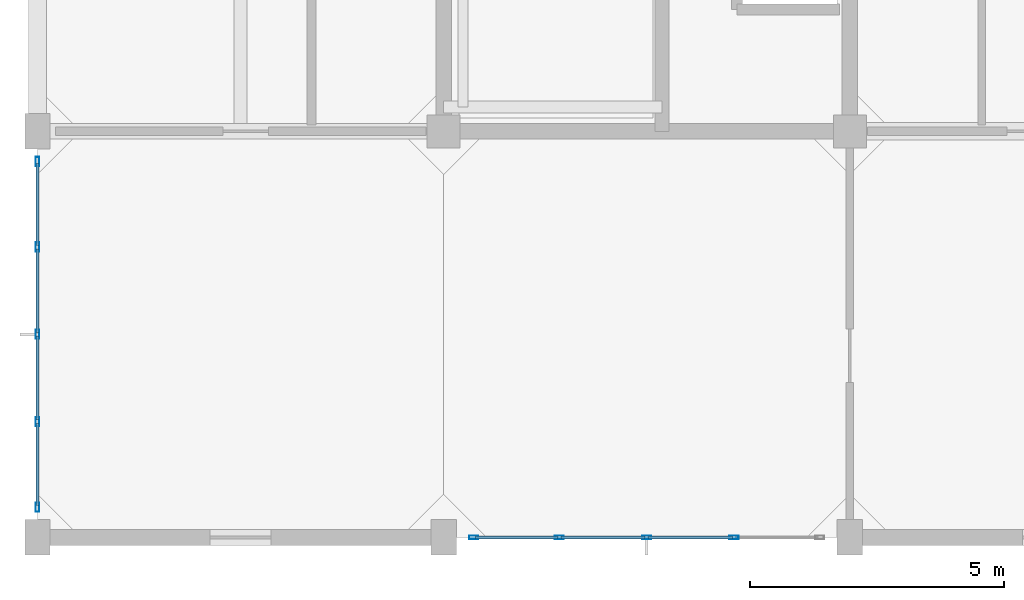
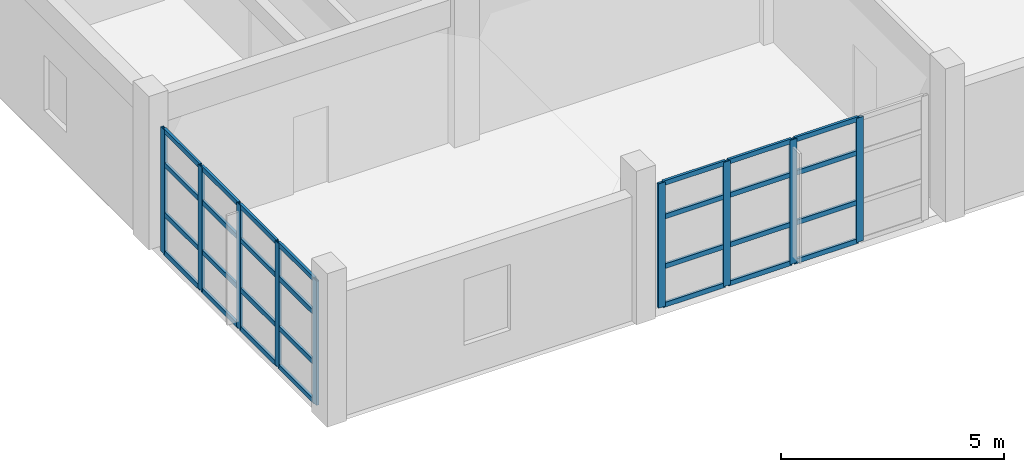
# One storey, part 2 of 18: 37 members, 2 elements without a shape of their own.
"""IFC4 building model written with IfcOpenShell, lengths in metres."""

from ifc_helpers import new_model, si_unit, direction, frame, origin, origin_2d, place, context, subcontext, project, spatial, hollow_rectangle, extrude, material, layer, layer_set, material_profile, profile_set, type_object, element, aggregate, save


model = new_model("IFC4")

# Units and contexts
model_context = context("Model", 3, precision=1e-05, world=origin(), true_north=direction((0.0, 1.0)))
body_context = subcontext(model_context, "Body", "Model", "MODEL_VIEW")
ifc_project = project(units=[si_unit("LENGTHUNIT", "METRE"), si_unit("AREAUNIT", "SQUARE_METRE"), si_unit("VOLUMEUNIT", "CUBIC_METRE"), si_unit("PLANEANGLEUNIT", "RADIAN"), si_unit("MASSUNIT", "GRAM", prefix="KILO")], contexts=[model_context])

# Site, building, storey
site_placement = place(None, origin())
site = spatial("IfcSite", under=ifc_project, at=site_placement, CompositionType="ELEMENT")
building_placement = place(site_placement, origin())
building = spatial("IfcBuilding", under=site, at=building_placement, Name="Canggui Botanical Conservatory", CompositionType="ELEMENT")
storey_placement = place(building_placement, frame((0.0, 0.0, 52.800048828125)))
storey = spatial("IfcBuildingStorey", under=building, at=storey_placement, Name="L13", CompositionType="ELEMENT", Elevation=52.800048828125)

# Curtain wall, members
ifc_material = material(Name="Thermally Broken Aluminium", Category="aluminium")
ifc_layer = layer(ifc_material, 0.179931640625, Name="Thermally Broken Aluminium", Category="aluminium")
ifc_layer_set = layer_set([ifc_layer], Name="Thermally Broken Aluminium")
curtain_wall_type = type_object("IfcCurtainWallType", Name="CW-UNIT-A", PredefinedType="USERDEFINED", material=ifc_layer_set)
curtain_wall_1_placement = place(storey_placement, origin())
curtain_wall_1 = element("IfcCurtainWall", 1, at=curtain_wall_1_placement, inside=storey, type_object=curtain_wall_type, Name="Facade Curtain Wall CW-TWR-L13-03", ObjectType="UNITISED CURTAIN WALL", PredefinedType="USERDEFINED")
ifc_material_profile_1 = material_profile(ifc_material, hollow_rectangle(XDim=0.070068359375, YDim=0.179931640625, WallThickness=0.00390625, at=origin_2d()), Name="CWM 70x180x4")
ifc_profile_set_1 = profile_set([ifc_material_profile_1], Name="Thermally Broken Aluminium")
member_type_1 = type_object("IfcMemberType", Name="CWM-01", PredefinedType="MULLION", material=ifc_profile_set_1)
member_1_placement = place(storey_placement, frame((159.719970703125, 34.0, 0.0), z_axis=(0.0, 0.0, 1.0), x_axis=(0.0, -1.0, 0.0)))
member_1 = element("IfcMember", 2, at=member_1_placement, type_object=member_type_1, Name="CW-01 mullion 2", PredefinedType="MULLION", context=body_context, shape_type="SweptSolid", body=[
    extrude(hollow_rectangle(XDim=0.070068359375, YDim=0.179931640625, WallThickness=0.00390625, at=origin_2d()), origin(), (0.0, 0.0, 1.0), 3.39990234375),
])
member_2_placement = place(storey_placement, frame((158.0, 34.0, 0.0), z_axis=(0.0, 0.0, 1.0), x_axis=(0.0, -1.0, 0.0)))
member_2 = element("IfcMember", 3, at=member_2_placement, type_object=member_type_1, Name="CW-01 mullion 3", PredefinedType="MULLION", context=body_context, shape_type="SweptSolid", body=[
    extrude(hollow_rectangle(XDim=0.070068359375, YDim=0.179931640625, WallThickness=0.00390625, at=origin_2d()), origin(), (0.0, 0.0, 1.0), 3.39990234375),
])
member_3_placement = place(storey_placement, frame((156.280029296875, 34.0, 0.0), z_axis=(0.0, 0.0, 1.0), x_axis=(0.0, -1.0, 0.0)))
member_3 = element("IfcMember", 4, at=member_3_placement, type_object=member_type_1, Name="CW-01 mullion 4", PredefinedType="MULLION", context=body_context, shape_type="SweptSolid", body=[
    extrude(hollow_rectangle(XDim=0.070068359375, YDim=0.179931640625, WallThickness=0.00390625, at=origin_2d()), origin(), (0.0, 0.0, 1.0), 3.39990234375),
])
member_4_placement = place(storey_placement, frame((154.594970703125, 34.0, 0.0), z_axis=(0.0, 0.0, 1.0), x_axis=(0.0, -1.0, 0.0)))
member_4 = element("IfcMember", 5, at=member_4_placement, type_object=member_type_1, Name="CW-01 mullion 5", PredefinedType="MULLION", context=body_context, shape_type="SweptSolid", body=[
    extrude(hollow_rectangle(XDim=0.070068359375, YDim=0.179931640625, WallThickness=0.00390625, at=origin_2d()), origin(), (0.0, 0.0, 1.0), 3.39990234375),
])

curtain_wall_2_placement = place(storey_placement, origin())
curtain_wall_2 = element("IfcCurtainWall", 6, at=curtain_wall_2_placement, inside=storey, type_object=curtain_wall_type, Name="Facade Curtain Wall CW-TWR-L13-05", ObjectType="UNITISED CURTAIN WALL", PredefinedType="USERDEFINED")
member_5_placement = place(storey_placement, frame((146.0, 34.594970703125, 0.0), z_axis=(0.0, 0.0, 1.0), x_axis=(-1.0, 0.0, 0.0)))
member_5 = element("IfcMember", 7, at=member_5_placement, type_object=member_type_1, Name="CW-01 mullion 1", PredefinedType="MULLION", context=body_context, shape_type="SweptSolid", body=[
    extrude(hollow_rectangle(XDim=0.070068359375, YDim=0.179931640625, WallThickness=0.00390625, at=origin_2d()), origin(), (0.0, 0.0, 1.0), 3.39990234375),
])
member_6_placement = place(storey_placement, frame((146.0, 36.280029296875, 0.0), z_axis=(0.0, 0.0, 1.0), x_axis=(-1.0, 0.0, 0.0)))
member_6 = element("IfcMember", 8, at=member_6_placement, type_object=member_type_1, Name="CW-01 mullion 2", PredefinedType="MULLION", context=body_context, shape_type="SweptSolid", body=[
    extrude(hollow_rectangle(XDim=0.070068359375, YDim=0.179931640625, WallThickness=0.00390625, at=origin_2d()), origin(), (0.0, 0.0, 1.0), 3.39990234375),
])
member_7_placement = place(storey_placement, frame((146.0, 38.0, 0.0), z_axis=(0.0, 0.0, 1.0), x_axis=(-1.0, 0.0, 0.0)))
member_7 = element("IfcMember", 9, at=member_7_placement, type_object=member_type_1, Name="CW-01 mullion 3", PredefinedType="MULLION", context=body_context, shape_type="SweptSolid", body=[
    extrude(hollow_rectangle(XDim=0.070068359375, YDim=0.179931640625, WallThickness=0.00390625, at=origin_2d()), origin(), (0.0, 0.0, 1.0), 3.39990234375),
])
member_8_placement = place(storey_placement, frame((146.0, 39.719970703125, 0.0), z_axis=(0.0, 0.0, 1.0), x_axis=(-1.0, 0.0, 0.0)))
member_8 = element("IfcMember", 10, at=member_8_placement, type_object=member_type_1, Name="CW-01 mullion 4", PredefinedType="MULLION", context=body_context, shape_type="SweptSolid", body=[
    extrude(hollow_rectangle(XDim=0.070068359375, YDim=0.179931640625, WallThickness=0.00390625, at=origin_2d()), origin(), (0.0, 0.0, 1.0), 3.39990234375),
])
member_9_placement = place(storey_placement, frame((146.0, 41.405029296875, 0.0), z_axis=(0.0, 0.0, 1.0), x_axis=(-1.0, 0.0, 0.0)))
member_9 = element("IfcMember", 11, at=member_9_placement, type_object=member_type_1, Name="CW-01 mullion 5", PredefinedType="MULLION", context=body_context, shape_type="SweptSolid", body=[
    extrude(hollow_rectangle(XDim=0.070068359375, YDim=0.179931640625, WallThickness=0.00390625, at=origin_2d()), origin(), (0.0, 0.0, 1.0), 3.39990234375),
])

# Member
ifc_material_profile_2 = material_profile(ifc_material, hollow_rectangle(XDim=0.06494140625, YDim=0.1298828125, WallThickness=0.00341796875, at=origin_2d()), Name="CWT 65x130x3.5")
ifc_profile_set_2 = profile_set([ifc_material_profile_2], Name="Thermally Broken Aluminium")
member_type_2 = type_object("IfcMemberType", Name="CWT-01", PredefinedType="USERDEFINED", material=ifc_profile_set_2)
member_10_placement = place(storey_placement, frame((159.68505859375, 34.0, 0.032470703125), z_axis=(-1.0, 0.0, 0.0), x_axis=(0.0, -1.0, 0.0)))
member_10 = element("IfcMember", 12, at=member_10_placement, type_object=member_type_2, Name="CW-01 transom 2.1", ObjectType="TRANSOM", PredefinedType="USERDEFINED", context=body_context, shape_type="SweptSolid", body=[
    extrude(hollow_rectangle(XDim=0.06494140625, YDim=0.1298828125, WallThickness=0.00341796875, at=origin_2d()), origin(), (0.0, 0.0, 1.0), 1.650146484375),
])

member_11_placement = place(storey_placement, frame((159.68505859375, 34.0, 1.087890625), z_axis=(-1.0, 0.0, 0.0), x_axis=(0.0, -1.0, 0.0)))
member_11 = element("IfcMember", 13, at=member_11_placement, type_object=member_type_2, Name="CW-01 transom 2.2", ObjectType="TRANSOM", PredefinedType="USERDEFINED", context=body_context, shape_type="SweptSolid", body=[
    extrude(hollow_rectangle(XDim=0.06494140625, YDim=0.1298828125, WallThickness=0.00341796875, at=origin_2d()), origin(), (0.0, 0.0, 1.0), 1.650146484375),
])

member_12_placement = place(storey_placement, frame((159.68505859375, 34.0, 2.447998046875), z_axis=(-1.0, 0.0, 0.0), x_axis=(0.0, -1.0, 0.0)))
member_12 = element("IfcMember", 14, at=member_12_placement, type_object=member_type_2, Name="CW-01 transom 2.3", ObjectType="TRANSOM", PredefinedType="USERDEFINED", context=body_context, shape_type="SweptSolid", body=[
    extrude(hollow_rectangle(XDim=0.06494140625, YDim=0.1298828125, WallThickness=0.00341796875, at=origin_2d()), origin(), (0.0, 0.0, 1.0), 1.650146484375),
])

member_13_placement = place(storey_placement, frame((159.68505859375, 34.0, 3.367431640625), z_axis=(-1.0, 0.0, 0.0), x_axis=(0.0, -1.0, 0.0)))
member_13 = element("IfcMember", 15, at=member_13_placement, type_object=member_type_2, Name="CW-01 transom 2.4", ObjectType="TRANSOM", PredefinedType="USERDEFINED", context=body_context, shape_type="SweptSolid", body=[
    extrude(hollow_rectangle(XDim=0.06494140625, YDim=0.1298828125, WallThickness=0.00341796875, at=origin_2d()), origin(), (0.0, 0.0, 1.0), 1.650146484375),
])

member_14_placement = place(storey_placement, frame((157.965087890625, 34.0, 0.032470703125), z_axis=(-1.0, 0.0, 0.0), x_axis=(0.0, -1.0, 0.0)))
member_14 = element("IfcMember", 16, at=member_14_placement, type_object=member_type_2, Name="CW-01 transom 3.1", ObjectType="TRANSOM", PredefinedType="USERDEFINED", context=body_context, shape_type="SweptSolid", body=[
    extrude(hollow_rectangle(XDim=0.06494140625, YDim=0.1298828125, WallThickness=0.00341796875, at=origin_2d()), origin(), (0.0, 0.0, 1.0), 1.650146484375),
])

member_15_placement = place(storey_placement, frame((157.965087890625, 34.0, 1.087890625), z_axis=(-1.0, 0.0, 0.0), x_axis=(0.0, -1.0, 0.0)))
member_15 = element("IfcMember", 17, at=member_15_placement, type_object=member_type_2, Name="CW-01 transom 3.2", ObjectType="TRANSOM", PredefinedType="USERDEFINED", context=body_context, shape_type="SweptSolid", body=[
    extrude(hollow_rectangle(XDim=0.06494140625, YDim=0.1298828125, WallThickness=0.00341796875, at=origin_2d()), origin(), (0.0, 0.0, 1.0), 1.650146484375),
])

member_16_placement = place(storey_placement, frame((157.965087890625, 34.0, 2.447998046875), z_axis=(-1.0, 0.0, 0.0), x_axis=(0.0, -1.0, 0.0)))
member_16 = element("IfcMember", 18, at=member_16_placement, type_object=member_type_2, Name="CW-01 transom 3.3", ObjectType="TRANSOM", PredefinedType="USERDEFINED", context=body_context, shape_type="SweptSolid", body=[
    extrude(hollow_rectangle(XDim=0.06494140625, YDim=0.1298828125, WallThickness=0.00341796875, at=origin_2d()), origin(), (0.0, 0.0, 1.0), 1.650146484375),
])

member_17_placement = place(storey_placement, frame((157.965087890625, 34.0, 3.367431640625), z_axis=(-1.0, 0.0, 0.0), x_axis=(0.0, -1.0, 0.0)))
member_17 = element("IfcMember", 19, at=member_17_placement, type_object=member_type_2, Name="CW-01 transom 3.4", ObjectType="TRANSOM", PredefinedType="USERDEFINED", context=body_context, shape_type="SweptSolid", body=[
    extrude(hollow_rectangle(XDim=0.06494140625, YDim=0.1298828125, WallThickness=0.00341796875, at=origin_2d()), origin(), (0.0, 0.0, 1.0), 1.650146484375),
])

member_18_placement = place(storey_placement, frame((156.2451171875, 34.0, 0.032470703125), z_axis=(-1.0, 0.0, 0.0), x_axis=(0.0, -1.0, 0.0)))
member_18 = element("IfcMember", 20, at=member_18_placement, type_object=member_type_2, Name="CW-01 transom 4.1", ObjectType="TRANSOM", PredefinedType="USERDEFINED", context=body_context, shape_type="SweptSolid", body=[
    extrude(hollow_rectangle(XDim=0.06494140625, YDim=0.1298828125, WallThickness=0.00341796875, at=origin_2d()), origin(), (0.0, 0.0, 1.0), 1.615234375),
])

member_19_placement = place(storey_placement, frame((156.2451171875, 34.0, 1.087890625), z_axis=(-1.0, 0.0, 0.0), x_axis=(0.0, -1.0, 0.0)))
member_19 = element("IfcMember", 21, at=member_19_placement, type_object=member_type_2, Name="CW-01 transom 4.2", ObjectType="TRANSOM", PredefinedType="USERDEFINED", context=body_context, shape_type="SweptSolid", body=[
    extrude(hollow_rectangle(XDim=0.06494140625, YDim=0.1298828125, WallThickness=0.00341796875, at=origin_2d()), origin(), (0.0, 0.0, 1.0), 1.615234375),
])

member_20_placement = place(storey_placement, frame((156.2451171875, 34.0, 2.447998046875), z_axis=(-1.0, 0.0, 0.0), x_axis=(0.0, -1.0, 0.0)))
member_20 = element("IfcMember", 22, at=member_20_placement, type_object=member_type_2, Name="CW-01 transom 4.3", ObjectType="TRANSOM", PredefinedType="USERDEFINED", context=body_context, shape_type="SweptSolid", body=[
    extrude(hollow_rectangle(XDim=0.06494140625, YDim=0.1298828125, WallThickness=0.00341796875, at=origin_2d()), origin(), (0.0, 0.0, 1.0), 1.615234375),
])

member_21_placement = place(storey_placement, frame((156.2451171875, 34.0, 3.367431640625), z_axis=(-1.0, 0.0, 0.0), x_axis=(0.0, -1.0, 0.0)))
member_21 = element("IfcMember", 23, at=member_21_placement, type_object=member_type_2, Name="CW-01 transom 4.4", ObjectType="TRANSOM", PredefinedType="USERDEFINED", context=body_context, shape_type="SweptSolid", body=[
    extrude(hollow_rectangle(XDim=0.06494140625, YDim=0.1298828125, WallThickness=0.00341796875, at=origin_2d()), origin(), (0.0, 0.0, 1.0), 1.615234375),
])

aggregate(curtain_wall_1, [member_1, member_2, member_3, member_4, member_10, member_11, member_12, member_13, member_14, member_15, member_16, member_17, member_18, member_19, member_20, member_21])

member_22_placement = place(storey_placement, frame((146.0, 34.6298828125, 0.032470703125), z_axis=(0.0, 1.0, 0.0), x_axis=(-1.0, 0.0, 0.0)))
member_22 = element("IfcMember", 24, at=member_22_placement, type_object=member_type_2, Name="CW-01 transom 1.1", ObjectType="TRANSOM", PredefinedType="USERDEFINED", context=body_context, shape_type="SweptSolid", body=[
    extrude(hollow_rectangle(XDim=0.06494140625, YDim=0.1298828125, WallThickness=0.00341796875, at=origin_2d()), origin(), (0.0, 0.0, 1.0), 1.615234375),
])

member_23_placement = place(storey_placement, frame((146.0, 34.6298828125, 1.087890625), z_axis=(0.0, 1.0, 0.0), x_axis=(-1.0, 0.0, 0.0)))
member_23 = element("IfcMember", 25, at=member_23_placement, type_object=member_type_2, Name="CW-01 transom 1.2", ObjectType="TRANSOM", PredefinedType="USERDEFINED", context=body_context, shape_type="SweptSolid", body=[
    extrude(hollow_rectangle(XDim=0.06494140625, YDim=0.1298828125, WallThickness=0.00341796875, at=origin_2d()), origin(), (0.0, 0.0, 1.0), 1.615234375),
])

member_24_placement = place(storey_placement, frame((146.0, 34.6298828125, 2.447998046875), z_axis=(0.0, 1.0, 0.0), x_axis=(-1.0, 0.0, 0.0)))
member_24 = element("IfcMember", 26, at=member_24_placement, type_object=member_type_2, Name="CW-01 transom 1.3", ObjectType="TRANSOM", PredefinedType="USERDEFINED", context=body_context, shape_type="SweptSolid", body=[
    extrude(hollow_rectangle(XDim=0.06494140625, YDim=0.1298828125, WallThickness=0.00341796875, at=origin_2d()), origin(), (0.0, 0.0, 1.0), 1.615234375),
])

member_25_placement = place(storey_placement, frame((146.0, 34.6298828125, 3.367431640625), z_axis=(0.0, 1.0, 0.0), x_axis=(-1.0, 0.0, 0.0)))
member_25 = element("IfcMember", 27, at=member_25_placement, type_object=member_type_2, Name="CW-01 transom 1.4", ObjectType="TRANSOM", PredefinedType="USERDEFINED", context=body_context, shape_type="SweptSolid", body=[
    extrude(hollow_rectangle(XDim=0.06494140625, YDim=0.1298828125, WallThickness=0.00341796875, at=origin_2d()), origin(), (0.0, 0.0, 1.0), 1.615234375),
])

member_26_placement = place(storey_placement, frame((146.0, 36.31494140625, 0.032470703125), z_axis=(0.0, 1.0, 0.0), x_axis=(-1.0, 0.0, 0.0)))
member_26 = element("IfcMember", 28, at=member_26_placement, type_object=member_type_2, Name="CW-01 transom 2.1", ObjectType="TRANSOM", PredefinedType="USERDEFINED", context=body_context, shape_type="SweptSolid", body=[
    extrude(hollow_rectangle(XDim=0.06494140625, YDim=0.1298828125, WallThickness=0.00341796875, at=origin_2d()), origin(), (0.0, 0.0, 1.0), 1.650146484375),
])

member_27_placement = place(storey_placement, frame((146.0, 36.31494140625, 1.087890625), z_axis=(0.0, 1.0, 0.0), x_axis=(-1.0, 0.0, 0.0)))
member_27 = element("IfcMember", 29, at=member_27_placement, type_object=member_type_2, Name="CW-01 transom 2.2", ObjectType="TRANSOM", PredefinedType="USERDEFINED", context=body_context, shape_type="SweptSolid", body=[
    extrude(hollow_rectangle(XDim=0.06494140625, YDim=0.1298828125, WallThickness=0.00341796875, at=origin_2d()), origin(), (0.0, 0.0, 1.0), 1.650146484375),
])

member_28_placement = place(storey_placement, frame((146.0, 36.31494140625, 2.447998046875), z_axis=(0.0, 1.0, 0.0), x_axis=(-1.0, 0.0, 0.0)))
member_28 = element("IfcMember", 30, at=member_28_placement, type_object=member_type_2, Name="CW-01 transom 2.3", ObjectType="TRANSOM", PredefinedType="USERDEFINED", context=body_context, shape_type="SweptSolid", body=[
    extrude(hollow_rectangle(XDim=0.06494140625, YDim=0.1298828125, WallThickness=0.00341796875, at=origin_2d()), origin(), (0.0, 0.0, 1.0), 1.650146484375),
])

member_29_placement = place(storey_placement, frame((146.0, 36.31494140625, 3.367431640625), z_axis=(0.0, 1.0, 0.0), x_axis=(-1.0, 0.0, 0.0)))
member_29 = element("IfcMember", 31, at=member_29_placement, type_object=member_type_2, Name="CW-01 transom 2.4", ObjectType="TRANSOM", PredefinedType="USERDEFINED", context=body_context, shape_type="SweptSolid", body=[
    extrude(hollow_rectangle(XDim=0.06494140625, YDim=0.1298828125, WallThickness=0.00341796875, at=origin_2d()), origin(), (0.0, 0.0, 1.0), 1.650146484375),
])

member_30_placement = place(storey_placement, frame((146.0, 38.034912109375, 0.032470703125), z_axis=(0.0, 1.0, 0.0), x_axis=(-1.0, 0.0, 0.0)))
member_30 = element("IfcMember", 32, at=member_30_placement, type_object=member_type_2, Name="CW-01 transom 3.1", ObjectType="TRANSOM", PredefinedType="USERDEFINED", context=body_context, shape_type="SweptSolid", body=[
    extrude(hollow_rectangle(XDim=0.06494140625, YDim=0.1298828125, WallThickness=0.00341796875, at=origin_2d()), origin(), (0.0, 0.0, 1.0), 1.650146484375),
])

member_31_placement = place(storey_placement, frame((146.0, 38.034912109375, 1.087890625), z_axis=(0.0, 1.0, 0.0), x_axis=(-1.0, 0.0, 0.0)))
member_31 = element("IfcMember", 33, at=member_31_placement, type_object=member_type_2, Name="CW-01 transom 3.2", ObjectType="TRANSOM", PredefinedType="USERDEFINED", context=body_context, shape_type="SweptSolid", body=[
    extrude(hollow_rectangle(XDim=0.06494140625, YDim=0.1298828125, WallThickness=0.00341796875, at=origin_2d()), origin(), (0.0, 0.0, 1.0), 1.650146484375),
])

member_32_placement = place(storey_placement, frame((146.0, 38.034912109375, 2.447998046875), z_axis=(0.0, 1.0, 0.0), x_axis=(-1.0, 0.0, 0.0)))
member_32 = element("IfcMember", 34, at=member_32_placement, type_object=member_type_2, Name="CW-01 transom 3.3", ObjectType="TRANSOM", PredefinedType="USERDEFINED", context=body_context, shape_type="SweptSolid", body=[
    extrude(hollow_rectangle(XDim=0.06494140625, YDim=0.1298828125, WallThickness=0.00341796875, at=origin_2d()), origin(), (0.0, 0.0, 1.0), 1.650146484375),
])

member_33_placement = place(storey_placement, frame((146.0, 38.034912109375, 3.367431640625), z_axis=(0.0, 1.0, 0.0), x_axis=(-1.0, 0.0, 0.0)))
member_33 = element("IfcMember", 35, at=member_33_placement, type_object=member_type_2, Name="CW-01 transom 3.4", ObjectType="TRANSOM", PredefinedType="USERDEFINED", context=body_context, shape_type="SweptSolid", body=[
    extrude(hollow_rectangle(XDim=0.06494140625, YDim=0.1298828125, WallThickness=0.00341796875, at=origin_2d()), origin(), (0.0, 0.0, 1.0), 1.650146484375),
])

member_34_placement = place(storey_placement, frame((146.0, 39.7548828125, 0.032470703125), z_axis=(0.0, 1.0, 0.0), x_axis=(-1.0, 0.0, 0.0)))
member_34 = element("IfcMember", 36, at=member_34_placement, type_object=member_type_2, Name="CW-01 transom 4.1", ObjectType="TRANSOM", PredefinedType="USERDEFINED", context=body_context, shape_type="SweptSolid", body=[
    extrude(hollow_rectangle(XDim=0.06494140625, YDim=0.1298828125, WallThickness=0.00341796875, at=origin_2d()), origin(), (0.0, 0.0, 1.0), 1.615234375),
])

member_35_placement = place(storey_placement, frame((146.0, 39.7548828125, 1.087890625), z_axis=(0.0, 1.0, 0.0), x_axis=(-1.0, 0.0, 0.0)))
member_35 = element("IfcMember", 37, at=member_35_placement, type_object=member_type_2, Name="CW-01 transom 4.2", ObjectType="TRANSOM", PredefinedType="USERDEFINED", context=body_context, shape_type="SweptSolid", body=[
    extrude(hollow_rectangle(XDim=0.06494140625, YDim=0.1298828125, WallThickness=0.00341796875, at=origin_2d()), origin(), (0.0, 0.0, 1.0), 1.615234375),
])

member_36_placement = place(storey_placement, frame((146.0, 39.7548828125, 2.447998046875), z_axis=(0.0, 1.0, 0.0), x_axis=(-1.0, 0.0, 0.0)))
member_36 = element("IfcMember", 38, at=member_36_placement, type_object=member_type_2, Name="CW-01 transom 4.3", ObjectType="TRANSOM", PredefinedType="USERDEFINED", context=body_context, shape_type="SweptSolid", body=[
    extrude(hollow_rectangle(XDim=0.06494140625, YDim=0.1298828125, WallThickness=0.00341796875, at=origin_2d()), origin(), (0.0, 0.0, 1.0), 1.615234375),
])

member_37_placement = place(storey_placement, frame((146.0, 39.7548828125, 3.367431640625), z_axis=(0.0, 1.0, 0.0), x_axis=(-1.0, 0.0, 0.0)))
member_37 = element("IfcMember", 39, at=member_37_placement, type_object=member_type_2, Name="CW-01 transom 4.4", ObjectType="TRANSOM", PredefinedType="USERDEFINED", context=body_context, shape_type="SweptSolid", body=[
    extrude(hollow_rectangle(XDim=0.06494140625, YDim=0.1298828125, WallThickness=0.00341796875, at=origin_2d()), origin(), (0.0, 0.0, 1.0), 1.615234375),
])

aggregate(curtain_wall_2, [member_5, member_6, member_7, member_8, member_9, member_22, member_23, member_24, member_25, member_26, member_27, member_28, member_29, member_30, member_31, member_32, member_33, member_34, member_35, member_36, member_37])

save(model, "model.ifc")
